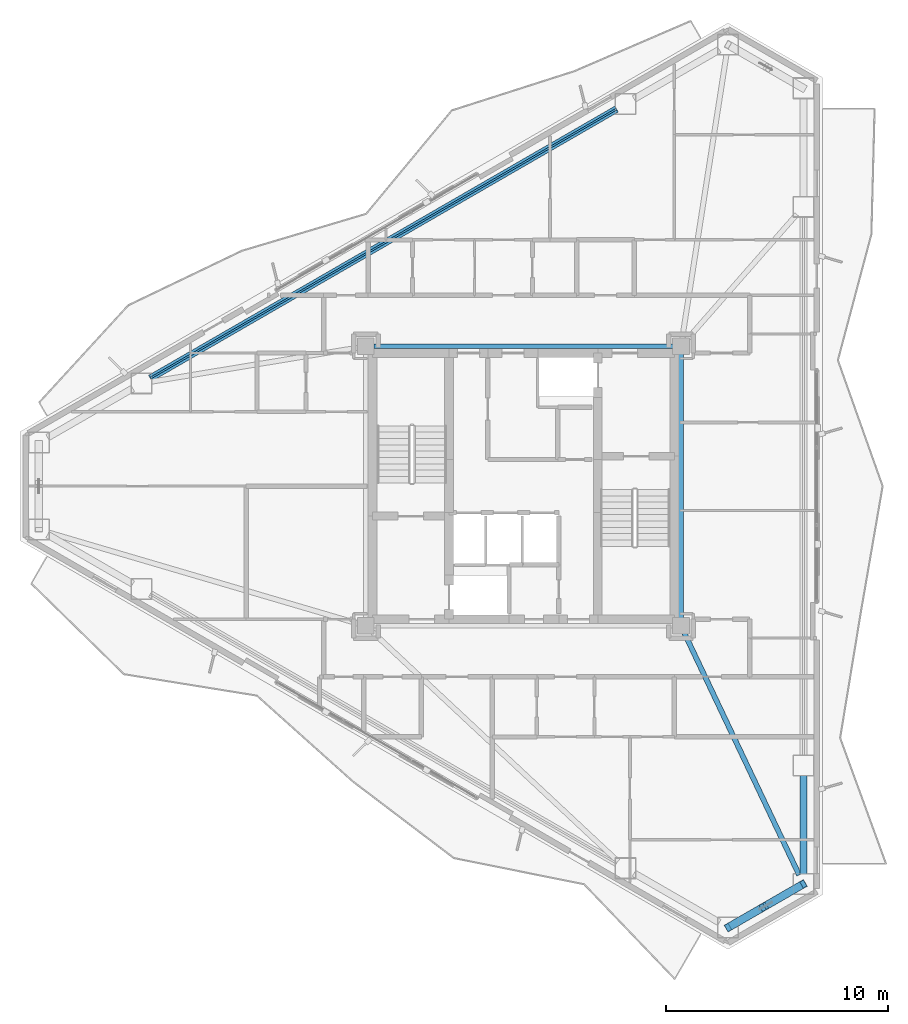
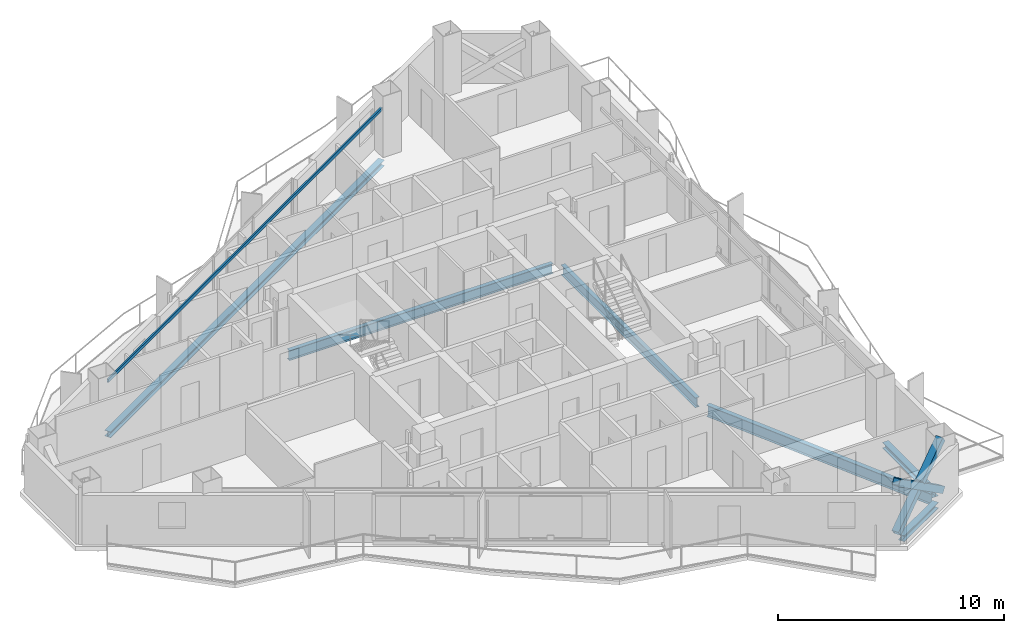
# One storey, part 6 of 18: 7 beams, 3 members.
"""IFC4 building model written with IfcOpenShell, lengths in metres."""

from ifc_helpers import new_model, si_unit, direction, frame, origin, origin_2d, place, context, subcontext, project, spatial, hollow_rectangle, i_section, extrude, material, material_profile, profile_set, type_object, element, save


model = new_model("IFC4")

# Units and contexts
model_context = context("Model", 3, precision=1e-05, world=origin(), true_north=direction((0.0, 1.0)))
body_context = subcontext(model_context, "Body", "Model", "MODEL_VIEW")
ifc_project = project(units=[si_unit("LENGTHUNIT", "METRE"), si_unit("AREAUNIT", "SQUARE_METRE"), si_unit("VOLUMEUNIT", "CUBIC_METRE"), si_unit("PLANEANGLEUNIT", "RADIAN"), si_unit("MASSUNIT", "GRAM", prefix="KILO")], contexts=[model_context])

# Site, building, storey
site_placement = place(None, origin())
site = spatial("IfcSite", under=ifc_project, at=site_placement, CompositionType="ELEMENT")
building_placement = place(site_placement, origin())
building = spatial("IfcBuilding", under=site, at=building_placement, Name="Mersakhor Tower and Convention Hall", CompositionType="ELEMENT")
storey_placement = place(building_placement, frame((0.0, 0.0, 137.699951171875)))
storey = spatial("IfcBuildingStorey", under=building, at=storey_placement, Name="L38", CompositionType="ELEMENT", Elevation=137.699951171875)

# Beams
ifc_material_1 = material(Name="Steel S355", Category="steel")
ifc_material_profile_1 = material_profile(ifc_material_1, i_section(OverallWidth=0.2099609375, OverallDepth=0.53662109375, WebThickness=0.0107421875, FlangeThickness=0.017333984375, at=origin_2d()), Name="UB 533x210x101")
ifc_profile_set_1 = profile_set([ifc_material_profile_1], Name="Steel S355")
beam_type_1 = type_object("IfcBeamType", Name="BM-FB-533", PredefinedType="BEAM", material=ifc_profile_set_1)
beam_1_placement = place(storey_placement, frame((22.2548828125, 33.050048828125, -0.50830078125), z_axis=(1.0, 0.0, 0.0), x_axis=(0.0, 1.0, 0.0)))
element("IfcBeam", 1, at=beam_1_placement, inside=storey, type_object=beam_type_1, Name="L38 Core Ring Tie Beam CRB-2", PredefinedType="BEAM", context=body_context, shape_type="SweptSolid", body=[
    extrude(i_section(OverallWidth=0.2099609375, OverallDepth=0.53662109375, WebThickness=0.0107421875, FlangeThickness=0.017333984375, at=origin_2d()), origin(), (0.0, 0.0, 1.0), 13.490234375),
])
beam_2_placement = place(storey_placement, frame((36.10009765625, 32.695068359375, -0.50830078125), z_axis=(0.0, -1.0, 0.0), x_axis=(1.0, 0.0, 0.0)))
element("IfcBeam", 2, at=beam_2_placement, inside=storey, type_object=beam_type_1, Name="L38 Core Ring Tie Beam CRB-3", PredefinedType="BEAM", context=body_context, shape_type="SweptSolid", body=[
    extrude(i_section(OverallWidth=0.2099609375, OverallDepth=0.53662109375, WebThickness=0.0107421875, FlangeThickness=0.017333984375, at=origin_2d()), origin(), (0.0, 0.0, 1.0), 11.89013671875),
])
ifc_material_2 = material(Name="Steel S355", Category="steel")
ifc_material_profile_2 = material_profile(ifc_material_2, hollow_rectangle(XDim=0.080078125, YDim=0.179931640625, WallThickness=0.008056640625, at=origin_2d()), Name="RHS 180x80x8")
ifc_profile_set_2 = profile_set([ifc_material_profile_2], Name="Steel S355")
beam_type_2 = type_object("IfcBeamType", Name="BM-GRT-RHS180", PredefinedType="USERDEFINED", material=ifc_profile_set_2)
beam_3_placement = place(storey_placement, frame((12.182373046875, 31.61181640625, 2.47998046875), z_axis=(0.866027433267, 0.499996484816, 0.0), x_axis=(-0.499996484816, 0.866027433267, 0.0)))
element("IfcBeam", 3, at=beam_3_placement, inside=storey, type_object=beam_type_2, Name="L38 Facade Support Girt GRT-F1", ObjectType="GIRT", PredefinedType="USERDEFINED", context=body_context, shape_type="SweptSolid", body=[
    extrude(hollow_rectangle(XDim=0.080078125, YDim=0.179931640625, WallThickness=0.008056640625, at=origin_2d()), origin(), (0.0, 0.0, 1.0), 24.267333984375),
])
ifc_material_3 = material(Name="Steel S355", Category="steel")
ifc_material_profile_3 = material_profile(ifc_material_3, i_section(OverallWidth=0.22900390625, OverallDepth=0.6123046875, WebThickness=0.011962890625, FlangeThickness=0.01953125, at=origin_2d()), Name="UB 610x229x125")
ifc_profile_set_3 = profile_set([ifc_material_profile_3], Name="Steel S355")
beam_type_3 = type_object("IfcBeamType", Name="BM-PR-610", PredefinedType="BEAM", material=ifc_profile_set_3)
beam_4_placement = place(storey_placement, frame((36.252197265625, 20.12939453125, -0.546142578125), z_axis=(0.428664675599, -0.903463666061, 0.0), x_axis=(0.903463666061, 0.428664675599, 0.0)))
element("IfcBeam", 4, at=beam_4_placement, inside=storey, type_object=beam_type_3, Name="L38 Primary Floor Girder FG-4", PredefinedType="BEAM", context=body_context, shape_type="SweptSolid", body=[
    extrude(i_section(OverallWidth=0.22900390625, OverallDepth=0.6123046875, WebThickness=0.011962890625, FlangeThickness=0.01953125, at=origin_2d()), origin(), (0.0, 0.0, 1.0), 12.065673828125),
])
ifc_material_4 = material(Name="Steel S355", Category="steel")
ifc_material_profile_4 = material_profile(ifc_material_4, i_section(OverallWidth=0.30908203125, OverallDepth=0.320556640625, WebThickness=0.013916015625, FlangeThickness=0.021728515625, at=origin_2d()), Name="UC 305x305x137")
ifc_profile_set_4 = profile_set([ifc_material_profile_4], Name="Steel S355")
beam_type_4 = type_object("IfcBeamType", Name="BM-SPD-UC305", PredefinedType="SPANDREL", material=ifc_profile_set_4)
beam_5_placement = place(storey_placement, frame((12.182373046875, 31.61181640625, -0.400146484375), z_axis=(0.866027433267, 0.499996484816, 0.0), x_axis=(-0.499996484816, 0.866027433267, 0.0)))
element("IfcBeam", 5, at=beam_5_placement, inside=storey, type_object=beam_type_4, Name="L38 Perimeter Spandrel Beam SPB-02", PredefinedType="SPANDREL", context=body_context, shape_type="SweptSolid", body=[
    extrude(i_section(OverallWidth=0.30908203125, OverallDepth=0.320556640625, WebThickness=0.013916015625, FlangeThickness=0.021728515625, at=origin_2d()), origin(), (0.0, 0.0, 1.0), 24.267333984375),
])
beam_6_placement = place(storey_placement, frame((41.619140625, 13.706298828125, -0.400146484375), z_axis=(0.0, -1.0, 0.0), x_axis=(1.0, 0.0, 0.0)))
element("IfcBeam", 6, at=beam_6_placement, inside=storey, type_object=beam_type_4, Name="L38 Perimeter Spandrel Beam SPB-07", PredefinedType="SPANDREL", context=body_context, shape_type="SweptSolid", body=[
    extrude(i_section(OverallWidth=0.30908203125, OverallDepth=0.320556640625, WebThickness=0.013916015625, FlangeThickness=0.021728515625, at=origin_2d()), origin(), (0.0, 0.0, 1.0), 4.433837890625),
])
beam_7_placement = place(storey_placement, frame((41.22509765625, 8.58984375, -0.400146484375), z_axis=(-0.86604667077, -0.499963162692, 0.0), x_axis=(0.499963162692, -0.86604667077, 0.0)))
element("IfcBeam", 7, at=beam_7_placement, inside=storey, type_object=beam_type_4, Name="L38 Perimeter Spandrel Beam SPB-08", PredefinedType="SPANDREL", context=body_context, shape_type="SweptSolid", body=[
    extrude(i_section(OverallWidth=0.30908203125, OverallDepth=0.320556640625, WebThickness=0.013916015625, FlangeThickness=0.021728515625, at=origin_2d()), origin(), (0.0, 0.0, 1.0), 3.014404296875),
])

# Members
ifc_material_5 = material(Name="Steel S460", Category="steel")
ifc_material_profile_5 = material_profile(ifc_material_5, hollow_rectangle(XDim=0.35009765625, YDim=0.35009765625, WallThickness=0.02001953125, at=origin_2d()), Name="SHS 350x350x20")
ifc_profile_set_5 = profile_set([ifc_material_profile_5], Name="Steel S460")
member_type = type_object("IfcMemberType", Name="MB-BRC-SHS350", PredefinedType="BRACE", material=ifc_profile_set_5)
member_placement = place(storey_placement, frame((41.619140625, 8.8173828125, 0.150146484375), z_axis=(-0.70838533923, -0.408971551713, 0.575267312693), x_axis=(0.499986324622, -0.866033299124, 0.0)))
element("IfcMember", 8, at=member_placement, inside=storey, type_object=member_type, Name="L38 Chamfer Braced Frame Diagonal CB-2A", PredefinedType="BRACE", context=body_context, shape_type="SweptSolid", body=[
    extrude(hollow_rectangle(XDim=0.35009765625, YDim=0.35009765625, WallThickness=0.02001953125, at=origin_2d()), origin(), (0.0, 0.0, 1.0), 4.7978515625),
])
for number, where, z_axis, x_axis, name in (
    (9, (38.220458984375, 6.855224609375, 0.150146484375), (0.708409139881, 0.409012716899, 0.575208734242), (-0.500011469263, 0.866018781901, 0.0), "L38 Chamfer Braced Frame Diagonal CB-2B Lower Half"),
    (10, (40.05712890625, 7.91552734375, 1.6416015625), (0.708364021879, 0.408986667212, 0.575282816143), (-0.500011469263, 0.866018781901, 0.0), "L38 Chamfer Braced Frame Diagonal CB-2B Upper Half"),
):
    element("IfcMember", number, at=place(storey_placement, frame(where, z_axis=z_axis, x_axis=x_axis)), inside=storey, type_object=member_type, Name=name, PredefinedType="BRACE", context=body_context, shape_type="SweptSolid", body=[
        extrude(hollow_rectangle(XDim=0.35009765625, YDim=0.35009765625, WallThickness=0.02001953125, at=origin_2d()), origin(), (0.0, 0.0, 1.0), 2.205078125),
    ])

save(model, "model.ifc")
